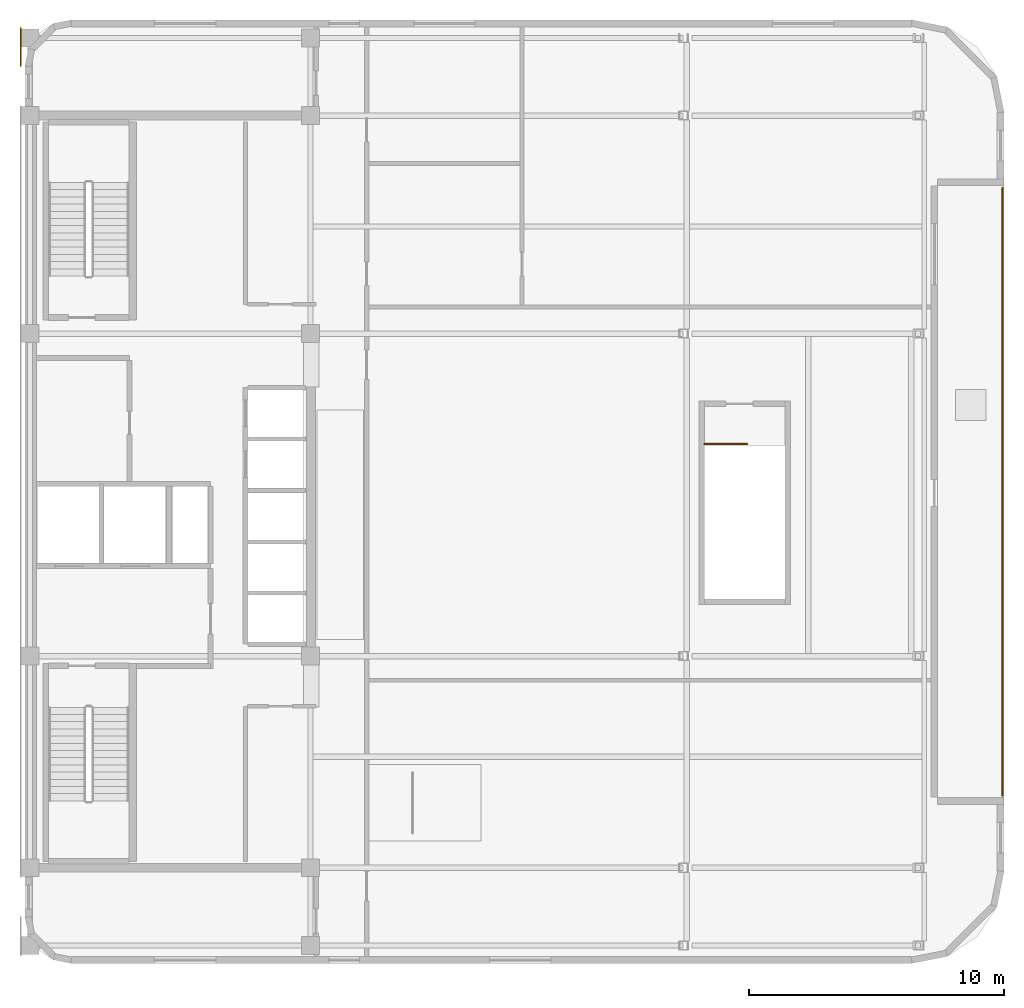
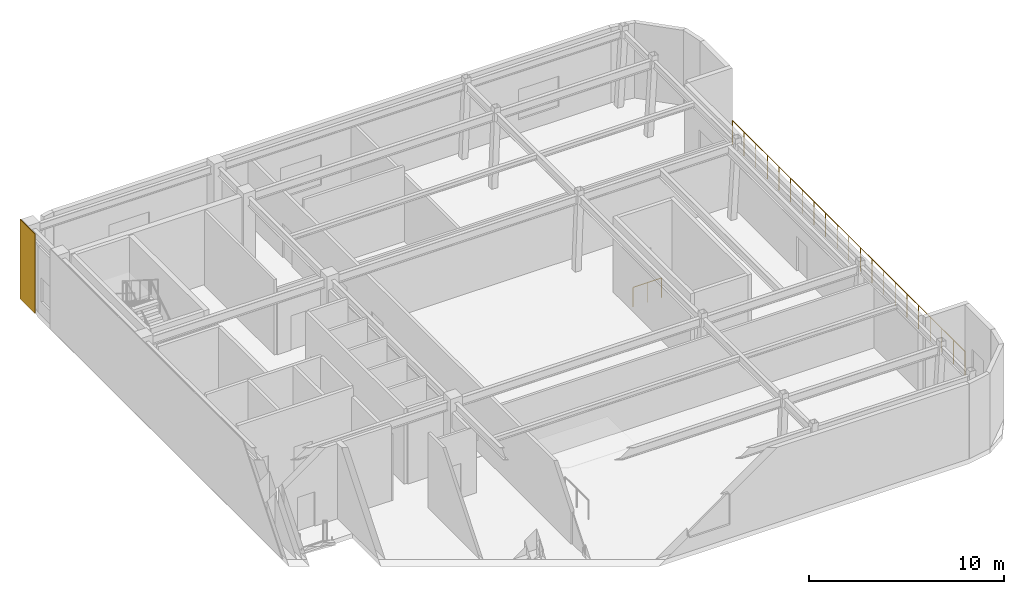
# One storey, part 6 of 6: 2 railings, 1 covering.
"""IFC4 building model written with IfcOpenShell, lengths in metres."""

from ifc_helpers import new_model, si_unit, direction, frame, origin, origin_2d, place, context, subcontext, project, spatial, rectangle, circle, extrude, material, layer, layer_set, type_object, element, save


model = new_model("IFC4")

# Units and contexts
model_context = context("Model", 3, precision=1e-05, world=origin(), true_north=direction((0.0, 1.0)))
body_context = subcontext(model_context, "Body", "Model", "MODEL_VIEW")
ifc_project = project(units=[si_unit("LENGTHUNIT", "METRE"), si_unit("AREAUNIT", "SQUARE_METRE"), si_unit("VOLUMEUNIT", "CUBIC_METRE"), si_unit("PLANEANGLEUNIT", "RADIAN"), si_unit("MASSUNIT", "GRAM", prefix="KILO")], contexts=[model_context])

# Site, building, storey
site_placement = place(None, origin())
site = spatial("IfcSite", under=ifc_project, at=site_placement, CompositionType="ELEMENT")
building_placement = place(site_placement, origin())
building = spatial("IfcBuilding", under=site, at=building_placement, Name="Ochreholt Gables", CompositionType="ELEMENT")
storey_placement = place(building_placement, frame((0.0, 0.0, 282.0)))
storey = spatial("IfcBuildingStorey", under=building, at=storey_placement, Name="L74", CompositionType="ELEMENT", Elevation=282.0)

# Covering
ifc_material_1 = material(Name="Glazed Ochre Terracotta Rainscreen Cladding", Category="masonry")
ifc_layer = layer(ifc_material_1, 0.044921875, Name="Glazed Ochre Terracotta Rainscreen Cladding")
ifc_layer_set = layer_set([ifc_layer], Name="Glazed Ochre Terracotta Rainscreen Cladding")
covering_type = type_object("IfcCoveringType", Name="COV-CLAD-TC", PredefinedType="CLADDING", material=ifc_layer_set)
covering_placement = place(storey_placement, frame((23.827880859375, 41.43994140625, 0.010009765625), z_axis=(0.0, 0.0, 1.0), x_axis=(0.0, 1.0, 0.0)))
element("IfcCovering", 1, at=covering_placement, inside=storey, type_object=covering_type, Name="L74 North-West Pier Terracotta Cladding", PredefinedType="CLADDING", context=body_context, shape_type="SweptSolid", body=[
    extrude(rectangle(XDim=1.52001953125, YDim=0.044921875, at=origin_2d()), origin(), (0.0, 0.0, 1.0), 4.97998046875),
])

# Railings
ifc_material_2 = material(Name="Painted Steel Stair Guardrail", Category="steel")
railing_type_1 = type_object("IfcRailingType", Name="RL-ST-GUARD", PredefinedType="GUARDRAIL", material=ifc_material_2)
railing_1_placement = place(storey_placement, frame((50.64990234375, 25.8701171875, 0.0)))
element("IfcRailing", 2, at=railing_1_placement, inside=storey, type_object=railing_type_1, Name="L74 ST-C7 top well guard 1", PredefinedType="GUARDRAIL", context=body_context, shape_type="SweptSolid", body=[
    extrude(circle(Radius=0.02392578125, at=origin_2d()), frame((0.0, 0.0, 1.22607421875), z_axis=(1.0, 0.0, 0.0), x_axis=(0.0, 1.0, 0.0)), (0.0, 0.0, 1.0), 1.68017578125),
    extrude(circle(Radius=0.02099609375, at=origin_2d()), origin(), (0.0, 0.0, 1.0), 1.201904296875),
    extrude(circle(Radius=0.02099609375, at=origin_2d()), frame((0.840087890625, 0.0, 0.0)), (0.0, 0.0, 1.0), 1.201904296875),
    extrude(circle(Radius=0.02099609375, at=origin_2d()), frame((1.68017578125, 0.0, 0.0)), (0.0, 0.0, 1.0), 1.201904296875),
])
ifc_material_3 = material(Name="High-Wind Laminated Glass and Steel Guardrail", Category="steel")
railing_type_2 = type_object("IfcRailingType", Name="RL-TER-1500", PredefinedType="GUARDRAIL", material=ifc_material_3)
railing_2_placement = place(storey_placement, frame((62.340087890625, 12.080322265625, 0.0)))
element("IfcRailing", 3, at=railing_2_placement, inside=storey, type_object=railing_type_2, Name="L74 Terrace Perimeter Guardrail TR-L74-OBS", PredefinedType="GUARDRAIL", context=body_context, shape_type="SweptSolid", body=[
    extrude(circle(Radius=0.02392578125, at=origin_2d()), frame((0.0, 0.0, 1.47607421875), z_axis=(0.0, 1.0, 0.0), x_axis=(-1.0, 0.0, 0.0)), (0.0, 0.0, 1.0), 23.83935546875),
    extrude(circle(Radius=0.02099609375, at=origin_2d()), origin(), (0.0, 0.0, 1.0), 1.451904296875),
    extrude(circle(Radius=0.02099609375, at=origin_2d()), frame((0.0, 1.19189453125, 0.0)), (0.0, 0.0, 1.0), 1.451904296875),
    extrude(circle(Radius=0.02099609375, at=origin_2d()), frame((0.0, 2.384033203125, 0.0)), (0.0, 0.0, 1.0), 1.451904296875),
    extrude(circle(Radius=0.02099609375, at=origin_2d()), frame((0.0, 3.575927734375, 0.0)), (0.0, 0.0, 1.0), 1.451904296875),
    extrude(circle(Radius=0.02099609375, at=origin_2d()), frame((0.0, 4.767822265625, 0.0)), (0.0, 0.0, 1.0), 1.451904296875),
    extrude(circle(Radius=0.02099609375, at=origin_2d()), frame((0.0, 5.9599609375, 0.0)), (0.0, 0.0, 1.0), 1.451904296875),
    extrude(circle(Radius=0.02099609375, at=origin_2d()), frame((0.0, 7.15185546875, 0.0)), (0.0, 0.0, 1.0), 1.451904296875),
    extrude(circle(Radius=0.02099609375, at=origin_2d()), frame((0.0, 8.34375, 0.0)), (0.0, 0.0, 1.0), 1.451904296875),
    extrude(circle(Radius=0.02099609375, at=origin_2d()), frame((0.0, 9.53564453125, 0.0)), (0.0, 0.0, 1.0), 1.451904296875),
    extrude(circle(Radius=0.02099609375, at=origin_2d()), frame((0.0, 10.727783203125, 0.0)), (0.0, 0.0, 1.0), 1.451904296875),
    extrude(circle(Radius=0.02099609375, at=origin_2d()), frame((0.0, 11.919677734375, 0.0)), (0.0, 0.0, 1.0), 1.451904296875),
    extrude(circle(Radius=0.02099609375, at=origin_2d()), frame((0.0, 13.111572265625, 0.0)), (0.0, 0.0, 1.0), 1.451904296875),
    extrude(circle(Radius=0.02099609375, at=origin_2d()), frame((0.0, 14.3037109375, 0.0)), (0.0, 0.0, 1.0), 1.451904296875),
    extrude(circle(Radius=0.02099609375, at=origin_2d()), frame((0.0, 15.49560546875, 0.0)), (0.0, 0.0, 1.0), 1.451904296875),
    extrude(circle(Radius=0.02099609375, at=origin_2d()), frame((0.0, 16.6875, 0.0)), (0.0, 0.0, 1.0), 1.451904296875),
    extrude(circle(Radius=0.02099609375, at=origin_2d()), frame((0.0, 17.87939453125, 0.0)), (0.0, 0.0, 1.0), 1.451904296875),
    extrude(circle(Radius=0.02099609375, at=origin_2d()), frame((0.0, 19.071533203125, 0.0)), (0.0, 0.0, 1.0), 1.451904296875),
    extrude(circle(Radius=0.02099609375, at=origin_2d()), frame((0.0, 20.263427734375, 0.0)), (0.0, 0.0, 1.0), 1.451904296875),
    extrude(circle(Radius=0.02099609375, at=origin_2d()), frame((0.0, 21.455322265625, 0.0)), (0.0, 0.0, 1.0), 1.451904296875),
    extrude(circle(Radius=0.02099609375, at=origin_2d()), frame((0.0, 22.6474609375, 0.0)), (0.0, 0.0, 1.0), 1.451904296875),
    extrude(circle(Radius=0.02099609375, at=origin_2d()), frame((0.0, 23.83935546875, 0.0)), (0.0, 0.0, 1.0), 1.451904296875),
])

save(model, "model.ifc")
